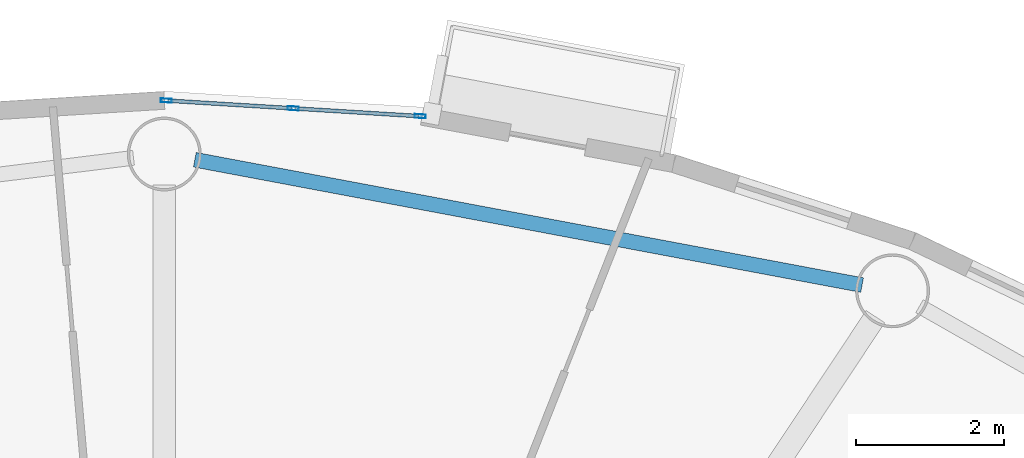
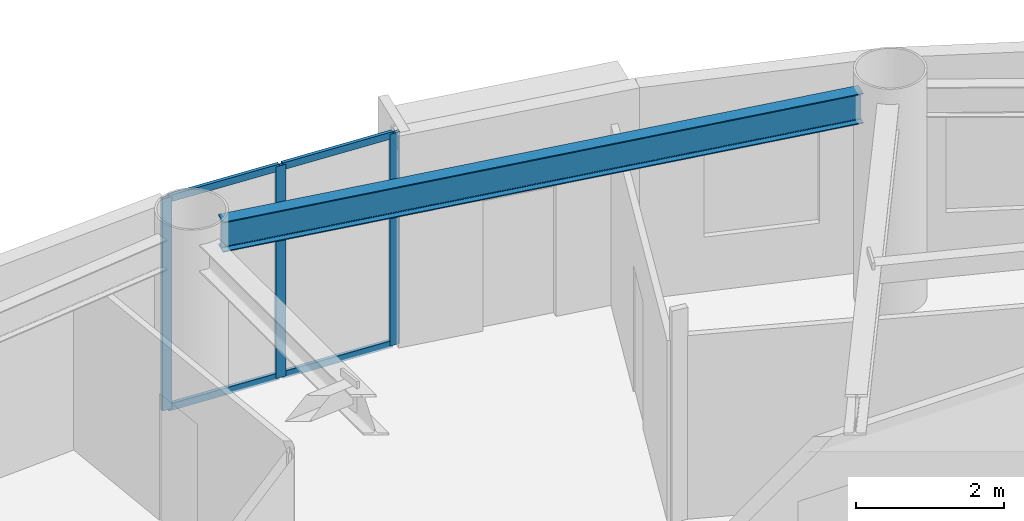
# One storey, part 4 of 18: 7 members, 1 beam, 1 element without a shape of its own.
"""IFC4 building model written with IfcOpenShell, lengths in metres."""

from ifc_helpers import new_model, si_unit, direction, frame, origin, origin_2d, place, context, subcontext, project, spatial, hollow_rectangle, i_section, extrude, source, transform, mapped, material, layer, layer_set, material_profile, profile_set, type_object, element, aggregate, save


model = new_model("IFC4")

# Units and contexts
model_context = context("Model", 3, precision=1e-05, world=origin(), true_north=direction((0.0, 1.0)))
body_context = subcontext(model_context, "Body", "Model", "MODEL_VIEW")
ifc_project = project(units=[si_unit("LENGTHUNIT", "METRE"), si_unit("AREAUNIT", "SQUARE_METRE"), si_unit("VOLUMEUNIT", "CUBIC_METRE"), si_unit("PLANEANGLEUNIT", "RADIAN"), si_unit("MASSUNIT", "GRAM", prefix="KILO")], contexts=[model_context])

# Site, building, storey
site_placement = place(None, origin())
site = spatial("IfcSite", under=ifc_project, at=site_placement, CompositionType="ELEMENT")
building_placement = place(site_placement, origin())
building = spatial("IfcBuilding", under=site, at=building_placement, Name="Linh Dai School and Residence Tower", CompositionType="ELEMENT")
storey_placement = place(building_placement, frame((0.0, 0.0, 291.75)))
storey = spatial("IfcBuildingStorey", under=building, at=storey_placement, Name="L72", CompositionType="ELEMENT", Elevation=291.75)

# Beam
ifc_material_1 = material(Name="Structural Steel S355JR", Category="steel")
ifc_material_profile_1 = material_profile(ifc_material_1, i_section(OverallWidth=0.199951171875, OverallDepth=0.5, WebThickness=0.01025390625, FlangeThickness=0.01611328125, FilletRadius=0.02099609375, at=origin_2d()), Name="IPE 500")
ifc_profile_set_1 = profile_set([ifc_material_profile_1], Name="Structural Steel S355JR")
beam_type = type_object("IfcBeamType", Name="BM-RB50", PredefinedType="BEAM", material=ifc_profile_set_1)
beam_placement = place(storey_placement, frame((45.441650390625, 41.916259765625, 3.25), z_axis=(-0.982805333306, 0.184644731378, 0.0), x_axis=(-0.184644731378, -0.982805333306, 0.0)))
element("IfcBeam", 1, at=beam_placement, inside=storey, type_object=beam_type, Name="L72 Perimeter Elliptical Ring Beam 04", PredefinedType="BEAM", context=body_context, shape_type="SweptSolid", body=[
    extrude(i_section(OverallWidth=0.199951171875, OverallDepth=0.5, WebThickness=0.01025390625, FlangeThickness=0.01611328125, FilletRadius=0.02099609375, at=origin_2d()), origin(), (0.0, 0.0, 1.0), 9.186767578125),
])

# Curtain wall, members
ifc_material_2 = material(Name="Aluminium Anodised Curtain Wall", Category="aluminium")
ifc_layer = layer(ifc_material_2, 0.14990234375)
ifc_layer_set = layer_set([ifc_layer], Name="Aluminium Anodised Curtain Wall")
curtain_wall_type = type_object("IfcCurtainWallType", Name="CW-SYS-4", PredefinedType="USERDEFINED", material=ifc_layer_set)
curtain_wall_placement = place(storey_placement, origin())
curtain_wall = element("IfcCurtainWall", 2, at=curtain_wall_placement, inside=storey, type_object=curtain_wall_type, Name="L72 CW4 Curtain Wall 10", ObjectType="RIBBON CURTAIN WALL", PredefinedType="USERDEFINED")
ifc_material_3 = material(Name="Aluminium Alloy 6063-T6", Category="aluminium")
ifc_material_profile_2 = material_profile(ifc_material_3, hollow_rectangle(XDim=0.052001953125, YDim=0.14990234375, WallThickness=0.00390625, at=origin_2d()), Name="RHS 150x52x4")
ifc_profile_set_2 = profile_set([ifc_material_profile_2], Name="Aluminium Alloy 6063-T6")
member_type_1 = type_object("IfcMemberType", Name="CW-SYS-4-MUL", PredefinedType="MULLION", material=ifc_profile_set_2)
shared_shape_1 = source(origin(), body_context, "Body", "SweptSolid", [
    extrude(hollow_rectangle(XDim=0.052001953125, YDim=0.14990234375, WallThickness=0.00390625, at=origin_2d()), origin(), (0.0, 0.0, 1.0), 3.5),
])
member_1_placement = place(storey_placement, frame((36.02587890625, 44.413330078125, 0.0), z_axis=(0.0, 0.0, 1.0), x_axis=(0.061509965157, 0.998106469364, 0.0)))
member_1 = element("IfcMember", 3, at=member_1_placement, type_object=member_type_1, Name="CW4 mullion 1", PredefinedType="MULLION", context=body_context, shape_type="MappedRepresentation", body=[
    mapped(shared_shape_1, transform((0.0, 0.0, 0.0), x_axis=(1.0, 0.0, 0.0), y_axis=(0.0, 1.0, 0.0), z_axis=(0.0, 0.0, 1.0), scale=1.0)),
])
member_2_placement = place(storey_placement, frame((37.744384765625, 44.3076171875, 0.0), z_axis=(0.0, 0.0, 1.0), x_axis=(0.061509965157, 0.998106469364, 0.0)))
member_2 = element("IfcMember", 4, at=member_2_placement, type_object=member_type_1, Name="CW4 mullion 2", PredefinedType="MULLION", context=body_context, shape_type="MappedRepresentation", body=[
    mapped(shared_shape_1, transform((0.0, 0.0, 0.0), x_axis=(1.0, 0.0, 0.0), y_axis=(0.0, 1.0, 0.0), z_axis=(0.0, 0.0, 1.0), scale=1.0)),
])
member_3_placement = place(storey_placement, frame((39.462890625, 44.20166015625, 0.0), z_axis=(0.0, 0.0, 1.0), x_axis=(0.061509965157, 0.998106469364, 0.0)))
member_3 = element("IfcMember", 5, at=member_3_placement, type_object=member_type_1, Name="CW4 mullion 3", PredefinedType="MULLION", context=body_context, shape_type="MappedRepresentation", body=[
    mapped(shared_shape_1, transform((0.0, 0.0, 0.0), x_axis=(1.0, 0.0, 0.0), y_axis=(0.0, 1.0, 0.0), z_axis=(0.0, 0.0, 1.0), scale=1.0)),
])
ifc_material_profile_3 = material_profile(ifc_material_3, hollow_rectangle(XDim=0.052001953125, YDim=0.114990234375, WallThickness=0.00390625, at=origin_2d()), Name="RHS 115x52x4")
ifc_profile_set_3 = profile_set([ifc_material_profile_3], Name="Aluminium Alloy 6063-T6")
member_type_2 = type_object("IfcMemberType", Name="CW-SYS-4-TRN", PredefinedType="USERDEFINED", material=ifc_profile_set_3)
shared_shape_2 = source(origin(), body_context, "Body", "SweptSolid", [
    extrude(hollow_rectangle(XDim=0.052001953125, YDim=0.114990234375, WallThickness=0.00390625, at=origin_2d()), origin(), (0.0, 0.0, 1.0), 1.669677734375),
])
member_4_placement = place(storey_placement, frame((36.052001953125, 44.411865234375, 0.02587890625), z_axis=(0.99810344795, -0.061558973277, 0.0), x_axis=(0.061558973277, 0.99810344795, 0.0)))
member_4 = element("IfcMember", 6, at=member_4_placement, type_object=member_type_2, Name="CW4 transom 1.1", ObjectType="TRANSOM", PredefinedType="USERDEFINED", context=body_context, shape_type="MappedRepresentation", body=[
    mapped(shared_shape_2, transform((0.0, 0.0, 0.0), x_axis=(1.0, 0.0, 0.0), y_axis=(0.0, 1.0, 0.0), z_axis=(0.0, 0.0, 1.0), scale=1.0)),
])
member_5_placement = place(storey_placement, frame((36.052001953125, 44.411865234375, 3.47412109375), z_axis=(0.99810344795, -0.061558973277, 0.0), x_axis=(0.061558973277, 0.99810344795, 0.0)))
member_5 = element("IfcMember", 7, at=member_5_placement, type_object=member_type_2, Name="CW4 transom 1.2", ObjectType="TRANSOM", PredefinedType="USERDEFINED", context=body_context, shape_type="MappedRepresentation", body=[
    mapped(shared_shape_2, transform((0.0, 0.0, 0.0), x_axis=(1.0, 0.0, 0.0), y_axis=(0.0, 1.0, 0.0), z_axis=(0.0, 0.0, 1.0), scale=1.0)),
])
member_6_placement = place(storey_placement, frame((37.770263671875, 44.305908203125, 0.02587890625), z_axis=(0.99810344795, -0.061558973277, 0.0), x_axis=(0.061558973277, 0.99810344795, 0.0)))
member_6 = element("IfcMember", 8, at=member_6_placement, type_object=member_type_2, Name="CW4 transom 2.1", ObjectType="TRANSOM", PredefinedType="USERDEFINED", context=body_context, shape_type="MappedRepresentation", body=[
    mapped(shared_shape_2, transform((0.0, 0.0, 0.0), x_axis=(1.0, 0.0, 0.0), y_axis=(0.0, 1.0, 0.0), z_axis=(0.0, 0.0, 1.0), scale=1.0)),
])
member_7_placement = place(storey_placement, frame((37.770263671875, 44.305908203125, 3.47412109375), z_axis=(0.99810344795, -0.061558973277, 0.0), x_axis=(0.061558973277, 0.99810344795, 0.0)))
member_7 = element("IfcMember", 9, at=member_7_placement, type_object=member_type_2, Name="CW4 transom 2.2", ObjectType="TRANSOM", PredefinedType="USERDEFINED", context=body_context, shape_type="MappedRepresentation", body=[
    mapped(shared_shape_2, transform((0.0, 0.0, 0.0), x_axis=(1.0, 0.0, 0.0), y_axis=(0.0, 1.0, 0.0), z_axis=(0.0, 0.0, 1.0), scale=1.0)),
])
aggregate(curtain_wall, [member_1, member_2, member_3, member_4, member_5, member_6, member_7])

save(model, "model.ifc")
